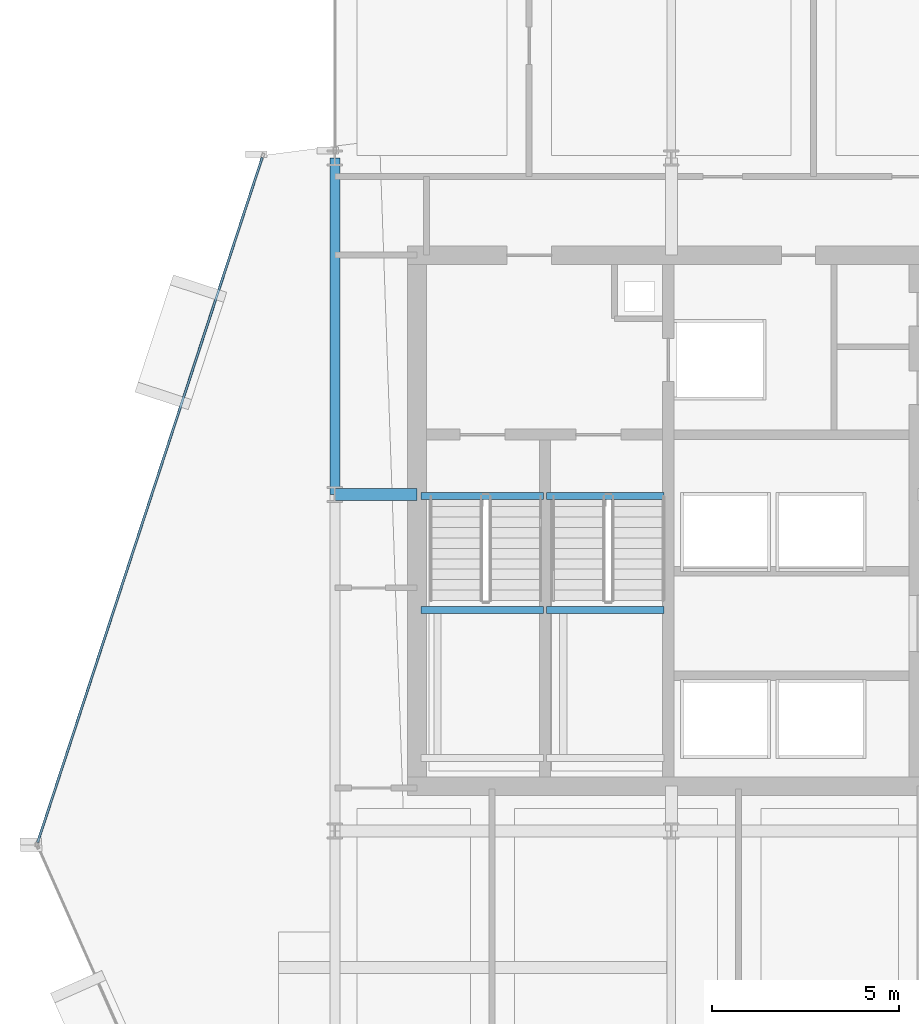
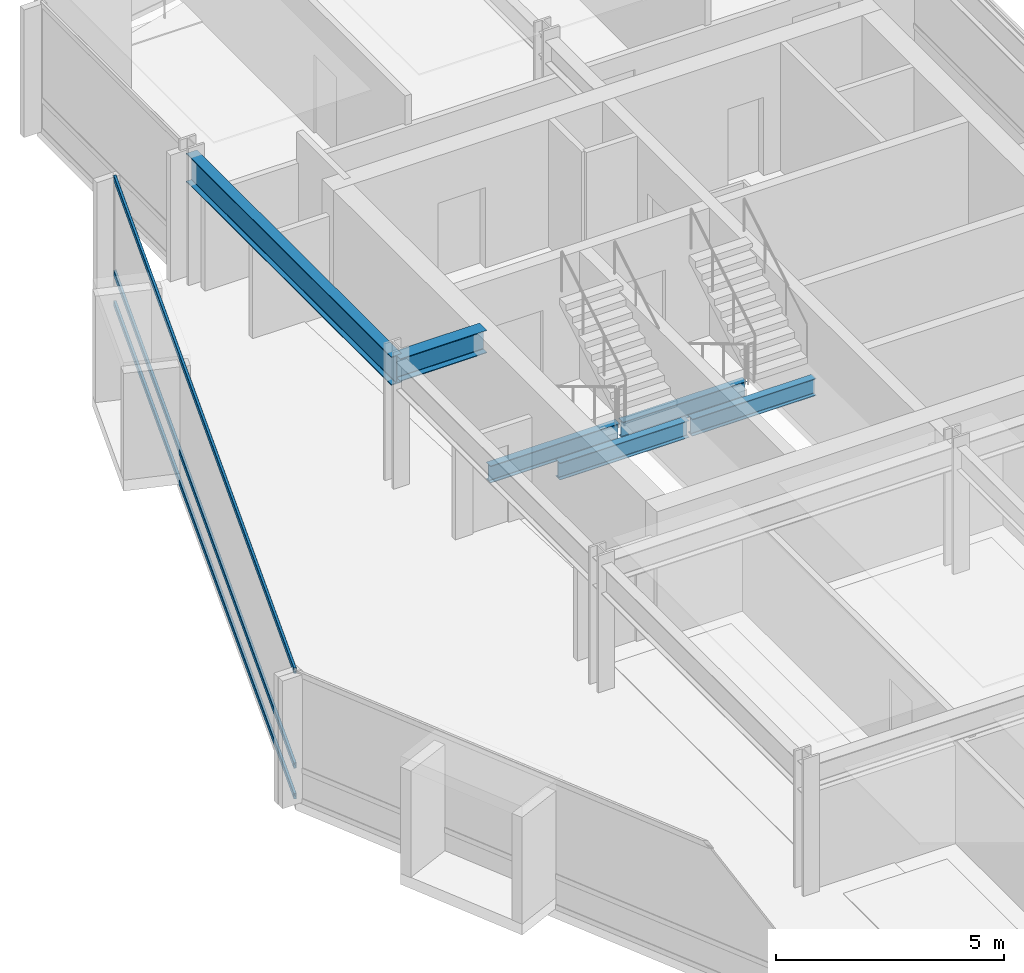
# One storey, part 15 of 28: 6 beams, 3 members, 1 element without a shape of its own.
"""IFC4 building model written with IfcOpenShell, lengths in metres."""

from ifc_helpers import new_model, si_unit, direction, frame, origin, origin_2d, place, context, subcontext, project, spatial, hollow_rectangle, i_section, extrude, material, layer, layer_set, material_profile, profile_set, type_object, element, aggregate, save


model = new_model("IFC4")

# Units and contexts
model_context = context("Model", 3, precision=1e-05, world=origin(), true_north=direction((0.0, 1.0)))
body_context = subcontext(model_context, "Body", "Model", "MODEL_VIEW")
ifc_project = project(units=[si_unit("LENGTHUNIT", "METRE"), si_unit("AREAUNIT", "SQUARE_METRE"), si_unit("VOLUMEUNIT", "CUBIC_METRE"), si_unit("PLANEANGLEUNIT", "RADIAN"), si_unit("MASSUNIT", "GRAM", prefix="KILO")], contexts=[model_context])

# Site, building, storey
site_placement = place(None, origin())
site = spatial("IfcSite", under=ifc_project, at=site_placement, CompositionType="ELEMENT")
building_placement = place(site_placement, origin())
building = spatial("IfcBuilding", under=site, at=building_placement, Name="Solvaryn Broadcast Tower", CompositionType="ELEMENT")
storey_placement = place(building_placement, frame((0.0, 0.0, 154.39990234375)))
storey = spatial("IfcBuildingStorey", under=building, at=storey_placement, Name="L38", CompositionType="ELEMENT", Elevation=154.39990234375)

# Beams
ifc_material_1 = material(Name="Steel ASTM A992 Grade 50", Category="steel")
ifc_material_profile_1 = material_profile(ifc_material_1, i_section(OverallWidth=0.323974609375, OverallDepth=0.611083984375, WebThickness=0.0126953125, FlangeThickness=0.01904296875, FilletRadius=0.014892578125, at=origin_2d()))
ifc_profile_set_1 = profile_set([ifc_material_profile_1], Name="Steel ASTM A992 Grade 50")
beam_type_1 = type_object("IfcBeamType", Name="BM-B1-W24X104", PredefinedType="BEAM", material=ifc_profile_set_1)
beam_1_placement = place(storey_placement, frame((9.0, 36.0, 3.114501953125), z_axis=(1.0, 0.0, 0.0), x_axis=(0.0, 1.0, 0.0)))
element("IfcBeam", 1, at=beam_1_placement, inside=storey, type_object=beam_type_1, Name="L38 Core Tie Beam CTW1", PredefinedType="BEAM", context=body_context, shape_type="SweptSolid", body=[
    extrude(i_section(OverallWidth=0.323974609375, OverallDepth=0.611083984375, WebThickness=0.0126953125, FlangeThickness=0.01904296875, FilletRadius=0.014892578125, at=origin_2d()), origin(), (0.0, 0.0, 1.0), 2.199951171875),
])
ifc_material_2 = material(Name="Steel ASTM A992 Grade 50", Category="steel")
ifc_material_profile_2 = material_profile(ifc_material_2, i_section(OverallWidth=0.18994140625, OverallDepth=0.45703125, WebThickness=0.009033203125, FlangeThickness=0.014404296875, FilletRadius=0.011962890625, at=origin_2d()))
ifc_profile_set_2 = profile_set([ifc_material_profile_2], Name="Steel ASTM A992 Grade 50")
beam_type_2 = type_object("IfcBeamType", Name="BM-B4-W18X50", PredefinedType="BEAM", material=ifc_profile_set_2)
for number, where, z_axis, x_axis, name in (
    (2, (11.300048828125, 35.9599609375, -0.50830078125), (1.0, 0.0, 0.0), (0.0, 1.0, 0.0), "L38 ST1 Stair Well Trimmer Beam"),
    (3, (11.300048828125, 32.909912109375, 1.421630859375), (1.0, 0.0, 0.0), (0.0, 1.0, 0.0), "L38 ST1 Landing Support Beam 1B"),
):
    element("IfcBeam", number, at=place(storey_placement, frame(where, z_axis=z_axis, x_axis=x_axis)), inside=storey, type_object=beam_type_2, Name=name, PredefinedType="BEAM", context=body_context, shape_type="SweptSolid", body=[
        extrude(i_section(OverallWidth=0.18994140625, OverallDepth=0.45703125, WebThickness=0.009033203125, FlangeThickness=0.014404296875, FilletRadius=0.011962890625, at=origin_2d()), origin(), (0.0, 0.0, 1.0), 3.280029296875),
    ])
for number, where, z_axis, x_axis, name in (
    (4, (14.659912109375, 35.9599609375, -0.50830078125), (1.0, 0.0, 0.0), (0.0, 1.0, 0.0), "L38 ST2 Stair Well Trimmer Beam"),
    (5, (14.659912109375, 32.909912109375, 1.421630859375), (1.0, 0.0, 0.0), (0.0, 1.0, 0.0), "L38 ST2 Landing Support Beam 1B"),
):
    element("IfcBeam", number, at=place(storey_placement, frame(where, z_axis=z_axis, x_axis=x_axis)), inside=storey, type_object=beam_type_2, Name=name, PredefinedType="BEAM", context=body_context, shape_type="SweptSolid", body=[
        extrude(i_section(OverallWidth=0.18994140625, OverallDepth=0.45703125, WebThickness=0.009033203125, FlangeThickness=0.014404296875, FilletRadius=0.011962890625, at=origin_2d()), origin(), (0.0, 0.0, 1.0), 3.14013671875),
    ])
ifc_material_3 = material(Name="Steel ASTM A992 Grade 50", Category="steel")
ifc_material_profile_3 = material_profile(ifc_material_3, i_section(OverallWidth=0.26708984375, OverallDepth=0.76611328125, WebThickness=0.014892578125, FlangeThickness=0.023681640625, FilletRadius=0.01806640625, at=origin_2d()))
ifc_profile_set_3 = profile_set([ifc_material_profile_3], Name="Steel ASTM A992 Grade 50")
beam_type_3 = type_object("IfcBeamType", Name="BM-SP2-W30X124", PredefinedType="USERDEFINED", material=ifc_profile_set_3)
beam_2_placement = place(storey_placement, frame((9.0, 36.0, 3.037109375), z_axis=(0.0, 1.0, 0.0), x_axis=(-1.0, 0.0, 0.0)))
element("IfcBeam", 6, at=beam_2_placement, inside=storey, type_object=beam_type_3, Name="L38 Spandrel Beam Y (36-45 @ X=9)", ObjectType="SPANDREL", PredefinedType="USERDEFINED", context=body_context, shape_type="SweptSolid", body=[
    extrude(i_section(OverallWidth=0.26708984375, OverallDepth=0.76611328125, WebThickness=0.014892578125, FlangeThickness=0.023681640625, FilletRadius=0.01806640625, at=origin_2d()), origin(), (0.0, 0.0, 1.0), 9.0),
])

# Curtain wall, members
ifc_material_4 = material(Name="Aluminium and Terracotta Unitised Curtain Wall", Category="masonry")
ifc_layer = layer(ifc_material_4, 0.199951171875)
ifc_layer_set = layer_set([ifc_layer], Name="CW-SYS2-LOWMID")
curtain_wall_type = type_object("IfcCurtainWallType", Name="CW-SYS2-LOWMID", PredefinedType="NOTDEFINED", material=ifc_layer_set)
curtain_wall_placement = place(storey_placement, origin())
curtain_wall = element("IfcCurtainWall", 7, at=curtain_wall_placement, inside=storey, type_object=curtain_wall_type, Name="L38 Curtain Wall DR1", PredefinedType="NOTDEFINED")
ifc_material_5 = material(Name="Anodised Aluminium 6063-T6", Category="aluminium")
ifc_material_profile_4 = material_profile(ifc_material_5, hollow_rectangle(XDim=0.06494140625, YDim=0.14990234375, WallThickness=0.00390625, InnerFilletRadius=0.00390625, OuterFilletRadius=0.008056640625, at=origin_2d()))
ifc_profile_set_4 = profile_set([ifc_material_profile_4], Name="Anodised Aluminium 6063-T6")
member_type = type_object("IfcMemberType", Name="CW-TRN-150", PredefinedType="USERDEFINED", material=ifc_profile_set_4)
member_1_placement = place(storey_placement, frame((7.060302734375, 45.010009765625, 0.030029296875), z_axis=(-0.31164571445, -0.950198373323, 0.0), x_axis=(0.950198373323, -0.31164571445, 0.0)))
member_1 = element("IfcMember", 8, at=member_1_placement, type_object=member_type, Name="CWS2 transom 1.1", ObjectType="TRANSOM", PredefinedType="USERDEFINED", context=body_context, shape_type="SweptSolid", body=[
    extrude(hollow_rectangle(XDim=0.06494140625, YDim=0.14990234375, WallThickness=0.00390625, InnerFilletRadius=0.00390625, OuterFilletRadius=0.008056640625, at=origin_2d()), origin(), (0.0, 0.0, 1.0), 19.27685546875),
])
member_2_placement = place(storey_placement, frame((7.060302734375, 45.010009765625, 0.85009765625), z_axis=(-0.31164571445, -0.950198373323, 0.0), x_axis=(0.950198373323, -0.31164571445, 0.0)))
member_2 = element("IfcMember", 9, at=member_2_placement, type_object=member_type, Name="CWS2 transom 1.2", ObjectType="TRANSOM", PredefinedType="USERDEFINED", context=body_context, shape_type="SweptSolid", body=[
    extrude(hollow_rectangle(XDim=0.06494140625, YDim=0.14990234375, WallThickness=0.00390625, InnerFilletRadius=0.00390625, OuterFilletRadius=0.008056640625, at=origin_2d()), origin(), (0.0, 0.0, 1.0), 19.27685546875),
])
member_3_placement = place(storey_placement, frame((7.060302734375, 45.010009765625, 3.39013671875), z_axis=(-0.31164571445, -0.950198373323, 0.0), x_axis=(0.950198373323, -0.31164571445, 0.0)))
member_3 = element("IfcMember", 10, at=member_3_placement, type_object=member_type, Name="CWS2 transom 1.3", ObjectType="TRANSOM", PredefinedType="USERDEFINED", context=body_context, shape_type="SweptSolid", body=[
    extrude(hollow_rectangle(XDim=0.06494140625, YDim=0.14990234375, WallThickness=0.00390625, InnerFilletRadius=0.00390625, OuterFilletRadius=0.008056640625, at=origin_2d()), origin(), (0.0, 0.0, 1.0), 19.27685546875),
])
aggregate(curtain_wall, [member_1, member_2, member_3])

save(model, "model.ifc")
